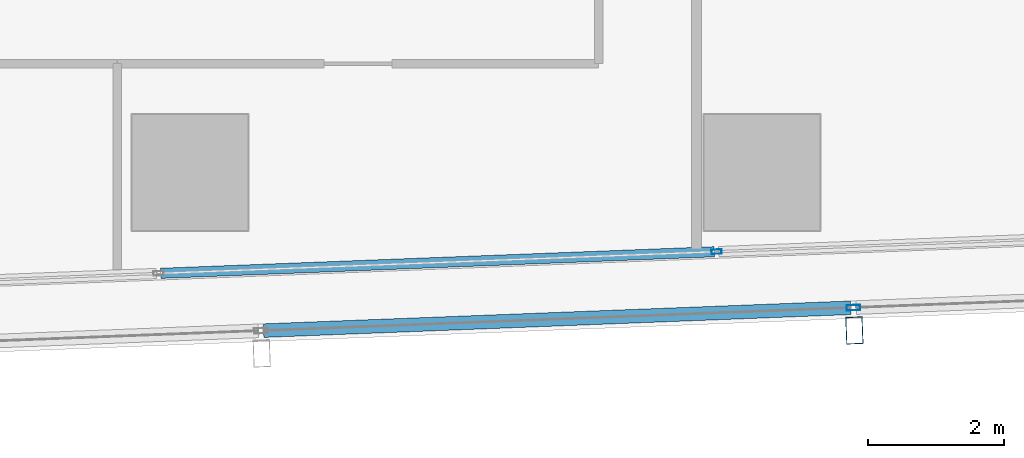
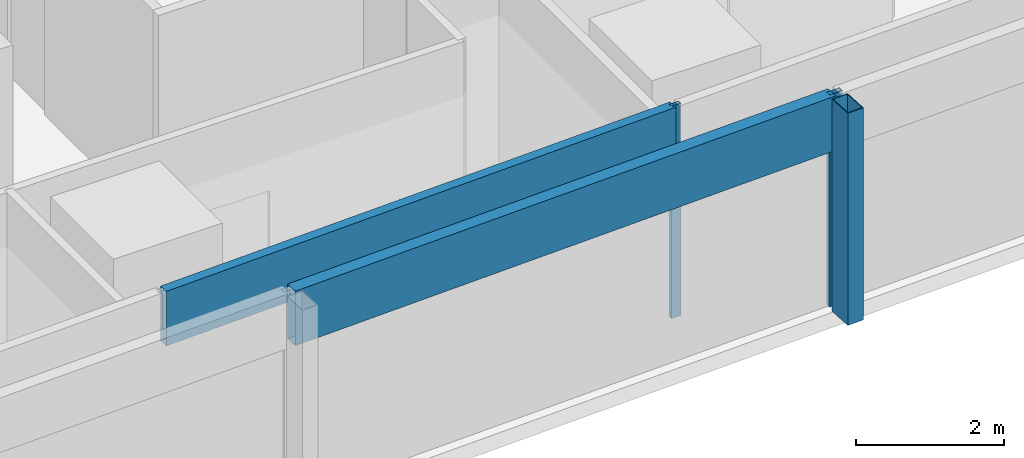
# One storey, part 11 of 40: 5 members, 2 elements without a shape of their own.
"""IFC4 building model written with IfcOpenShell, lengths in metres."""

import ifcopenshell
import ifcopenshell.guid

model = None  # the IFC model being written
_history = None  # IfcOwnerHistory: only IFC2X3 demands one
_inside = {}  # id of a spatial element -> (the spatial element, [elements in it])
_under = {}  # id of a project, library or spatial element -> (it, [spatial elements below it])
_declared = {}  # id of a project -> (the project, [libraries it declares])
_typed = {}  # id of a type object -> (the type object, [elements of that type])
_made_of = {}  # id of a material, layer set ... -> (it, [elements and type objects made of it])


def new_model(schema):
    """Start an empty IFC model of exactly this schema.

    Asked for "IFC4X3", IfcOpenShell would pick the latest addendum, in which some entities
    have other attributes; the version numbers below select the first issue.
    IFC2X3 requires an IfcOwnerHistory on every rooted entity: one is made here for all.
    """
    global model, _history
    if schema == "IFC4X3":
        model = ifcopenshell.file(schema_version=(4, 3, 0, 0))
    else:
        model = ifcopenshell.file(schema=schema)
    _inside.clear()
    _under.clear()
    _declared.clear()
    _typed.clear()
    _made_of.clear()
    _history = None
    if model.schema == "IFC2X3":
        org = make("IfcOrganization", Name="unknown")
        user = make(
            "IfcPersonAndOrganization",
            ThePerson=make("IfcPerson", FamilyName="unknown"),
            TheOrganization=org,
        )
        app = make(
            "IfcApplication",
            ApplicationDeveloper=org,
            Version="unknown",
            ApplicationFullName="unknown",
            ApplicationIdentifier="unknown",
        )
        _history = make(
            "IfcOwnerHistory",
            OwningUser=user,
            OwningApplication=app,
            ChangeAction="ADDED",
            CreationDate=0,
        )
    return model


def make(cls, **values):
    """One entity of the class cls with the attributes given. An attribute that is None is left unset."""
    return model.create_entity(
        cls, **{name: value for name, value in values.items() if value is not None}
    )


def rooted(cls, **values):
    """An entity with a GlobalId (a new one), such as an element, a storey or a relation."""
    return make(cls, GlobalId=ifcopenshell.guid.new(), OwnerHistory=_history, **values)


def si_unit(unit_type, name, prefix=None):
    """IfcSIUnit, for example si_unit("LENGTHUNIT", "METRE", prefix="MILLI")."""
    return make("IfcSIUnit", UnitType=unit_type, Prefix=prefix, Name=name)


def assignment(units):
    """IfcUnitAssignment: the units of a project."""
    return None if units is None else make("IfcUnitAssignment", Units=units)


def point(xyz):
    """IfcCartesianPoint."""
    return None if xyz is None else make("IfcCartesianPoint", Coordinates=xyz)


def direction(xyz):
    """IfcDirection."""
    return None if xyz is None else make("IfcDirection", DirectionRatios=xyz)


def frame(location, z_axis=None, x_axis=None):
    """IfcAxis2Placement3D, a coordinate frame: its origin and axes. An axis left out is left unset."""
    return make(
        "IfcAxis2Placement3D",
        Location=point(location),
        Axis=direction(z_axis),
        RefDirection=direction(x_axis),
    )


def frame_2d(location, x_axis=None):
    """IfcAxis2Placement2D, a coordinate frame in the plane: its origin and x axis."""
    return make(
        "IfcAxis2Placement2D", Location=point(location), RefDirection=direction(x_axis)
    )


def origin():
    """The frame at (0, 0, 0) with its axes left unset."""
    return frame((0.0, 0.0, 0.0))


def origin_2d():
    """The frame at (0, 0) in the plane with its x axis left unset."""
    return frame_2d((0.0, 0.0))


def place(relative_to, where):
    """IfcLocalPlacement: puts the frame where relative to a parent placement (None: the world)."""
    return make(
        "IfcLocalPlacement", PlacementRelTo=relative_to, RelativePlacement=where
    )


def context(
    kind, dimensions, precision=None, world=None, true_north=None, identifier=None
):
    """IfcGeometricRepresentationContext, for example the 3D "Model" context."""
    return make(
        "IfcGeometricRepresentationContext",
        ContextIdentifier=identifier,
        ContextType=kind,
        CoordinateSpaceDimension=dimensions,
        Precision=precision,
        WorldCoordinateSystem=world,
        TrueNorth=true_north,
    )


def subcontext(parent, identifier, kind, view, scale=None):
    """IfcGeometricRepresentationSubContext, for example "Body" below "Model"."""
    return make(
        "IfcGeometricRepresentationSubContext",
        ContextIdentifier=identifier,
        ContextType=kind,
        ParentContext=parent,
        TargetScale=scale,
        TargetView=view,
    )


def project(units=None, contexts=None):
    """IfcProject with its units and contexts."""
    return rooted(
        "IfcProject",
        Name="project",
        RepresentationContexts=contexts,
        UnitsInContext=assignment(units),
    )


def spatial(cls, under=None, at=None, **own):
    """A site, building, storey or space (cls), placed at a placement, below another one or the project."""
    s = rooted(cls, ObjectPlacement=at, **own)
    if under is not None:
        _under.setdefault(under.id(), (under, []))[1].append(s)
    return s


def profile(cls, at=None, kind="AREA", **sizes):
    """A parametric profile (cls). Its sizes go by their IFC names, for example OverallWidth=200.0."""
    return make(cls, ProfileType=kind, Position=at, **sizes)


def hollow_rectangle(**sizes):
    """IfcRectangleHollowProfileDef."""
    return profile("IfcRectangleHollowProfileDef", **sizes)


def extrude(swept, where, along, depth):
    """IfcExtrudedAreaSolid: the profile swept, set in the frame where, extruded along a direction by depth."""
    return make(
        "IfcExtrudedAreaSolid",
        SweptArea=swept,
        Position=where,
        ExtrudedDirection=direction(along),
        Depth=depth,
    )


def shape(context_of_items, identifier, shape_type, items):
    """IfcShapeRepresentation: the items that make up one representation, for example the "Body"."""
    return make(
        "IfcShapeRepresentation",
        ContextOfItems=context_of_items,
        RepresentationIdentifier=identifier,
        RepresentationType=shape_type,
        Items=items,
    )


def material(Name=None, Category=None):
    """IfcMaterial."""
    return make("IfcMaterial", Name=Name, Category=Category)


def material_profile(
    of_material, cross_section, Name=None, Category=None, Priority=None
):
    """IfcMaterialProfile: a cross section and its material."""
    return make(
        "IfcMaterialProfile",
        Name=Name,
        Material=of_material,
        Profile=cross_section,
        Priority=Priority,
        Category=Category,
    )


def profile_set(profiles, Name=None, composite=None):
    """IfcMaterialProfileSet."""
    return make(
        "IfcMaterialProfileSet",
        Name=Name,
        MaterialProfiles=profiles,
        CompositeProfile=composite,
    )


def made_of(thing, what):
    """Note that an element or type object is made of a material, layer set ...; save() writes the relation."""
    if what is not None:
        _made_of.setdefault(what.id(), (what, []))[1].append(thing)
    return thing


def type_object(cls, material=None, **own):
    """A type object (cls), such as IfcWallType, which elements share."""
    return made_of(rooted(cls, **own), material)


def element(
    cls,
    number,
    at=None,
    inside=None,
    cuts=None,
    type_object=None,
    material=None,
    context=None,
    identifier="Body",
    shape_type=None,
    held_by="IfcProductDefinitionShape",
    body=None,
    shapes=None,
    **own,
):
    """One element of the class cls, such as IfcWall. Its Tag is "e" and its number.

    at: its placement. inside: the storey or other place that contains it. cuts: it is an
    opening in that element (IfcRelVoidsElement). A single representation is given by context,
    identifier, shape_type and body (its items); several are given by shapes. held_by: the class
    of the entity that holds the representations. save() writes the other relations.
    """
    e = rooted(cls, Tag="e%d" % number, ObjectPlacement=at, **own)
    if body is not None:
        shapes = [shape(context, identifier, shape_type, body)]
    if shapes is not None:
        e.Representation = make(held_by, Representations=shapes)
    if inside is not None:
        _inside.setdefault(inside.id(), (inside, []))[1].append(e)
    if cuts is not None:
        rooted(
            "IfcRelVoidsElement", RelatingBuildingElement=cuts, RelatedOpeningElement=e
        )
    if type_object is not None:
        _typed.setdefault(type_object.id(), (type_object, []))[1].append(e)
    return made_of(e, material)


def aggregate(whole, parts):
    """IfcRelAggregates: a whole, such as a stair, and the parts it consists of."""
    return rooted("IfcRelAggregates", RelatingObject=whole, RelatedObjects=parts)


def save(model, path):
    """Write the relations noted so far, then the file.

    IfcRelAggregates (storeys below a building ...), IfcRelContainedInSpatialStructure (elements
    in a storey), IfcRelDefinesByType, IfcRelAssociatesMaterial and IfcRelDeclares: one each for
    every whole, place, type object, material and project.
    """
    for whole, parts in _under.values():
        aggregate(whole, parts)
    for where, things in _inside.values():
        rooted(
            "IfcRelContainedInSpatialStructure",
            RelatedElements=things,
            RelatingStructure=where,
        )
    for kind, things in _typed.values():
        rooted("IfcRelDefinesByType", RelatedObjects=things, RelatingType=kind)
    for what, things in _made_of.values():
        rooted("IfcRelAssociatesMaterial", RelatedObjects=things, RelatingMaterial=what)
    for by, libraries in _declared.values():
        rooted("IfcRelDeclares", RelatingContext=by, RelatedDefinitions=libraries)
    model.write(path)


model = new_model("IFC4")

# Units and contexts
model_context = context("Model", 3, precision=1e-05, world=origin(), true_north=direction((0.0, 1.0)))
body_context = subcontext(model_context, "Body", "Model", "MODEL_VIEW")
ifc_project = project(units=[si_unit("LENGTHUNIT", "METRE"), si_unit("AREAUNIT", "SQUARE_METRE"), si_unit("VOLUMEUNIT", "CUBIC_METRE"), si_unit("PLANEANGLEUNIT", "RADIAN"), si_unit("MASSUNIT", "GRAM", prefix="KILO")], contexts=[model_context])

# Site, building, storey
site_placement = place(None, origin())
site = spatial("IfcSite", under=ifc_project, at=site_placement, CompositionType="ELEMENT")
building_placement = place(site_placement, origin())
building = spatial("IfcBuilding", under=site, at=building_placement, Name="Rekha Terrace Tower", CompositionType="ELEMENT")
storey_placement = place(building_placement, frame((0.0, 0.0, 125.300048828125)))
storey = spatial("IfcBuildingStorey", under=building, at=storey_placement, Name="L31", CompositionType="ELEMENT", Elevation=125.300048828125)

# Curtain wall, member
ifc_material_1 = material(Name="Aluminium framing", Category="aluminium")
curtain_wall_type_1 = type_object("IfcCurtainWallType", Name="CW2 double skin outer glazing", PredefinedType="USERDEFINED", material=ifc_material_1)
curtain_wall_1_placement = place(storey_placement, origin())
curtain_wall_1 = element("IfcCurtainWall", 1, at=curtain_wall_1_placement, inside=storey, type_object=curtain_wall_type_1, Name="CW2 double skin outer glazing", ObjectType="DOUBLE SKIN OUTER GLAZING", PredefinedType="USERDEFINED")
ifc_material_2 = material(Name="Steel S355 with fluorocarbon finish", Category="steel")
ifc_material_profile_1 = material_profile(ifc_material_2, hollow_rectangle(XDim=0.25, YDim=0.39990234375, WallThickness=0.012451171875, at=origin_2d()), Name="RHS400x250x12.5")
ifc_profile_set_1 = profile_set([ifc_material_profile_1], Name="Steel S355 with fluorocarbon finish")
member_type_1 = type_object("IfcMemberType", Name="BL1 facade blade RHS 400 x 250", PredefinedType="USERDEFINED", material=ifc_profile_set_1)
member_1_placement = place(storey_placement, frame((60.1572265625, 14.480712890625, 0.0), z_axis=(0.0, 0.0, 1.0), x_axis=(0.999243494356, 0.038890088543, 0.0)))
member_1 = element("IfcMember", 2, at=member_1_placement, type_object=member_type_1, Name="Facade blade", ObjectType="FACADE BLADE", PredefinedType="USERDEFINED", context=body_context, shape_type="SweptSolid", body=[
    extrude(hollow_rectangle(XDim=0.25, YDim=0.39990234375, WallThickness=0.012451171875, at=origin_2d()), origin(), (0.0, 0.0, 1.0), 3.5),
])

# Curtain wall, members
curtain_wall_type_2 = type_object("IfcCurtainWallType", Name="CW1 double skin inner glazing", PredefinedType="USERDEFINED", material=ifc_material_1)
curtain_wall_2_placement = place(storey_placement, origin())
curtain_wall_2 = element("IfcCurtainWall", 3, at=curtain_wall_2_placement, inside=storey, type_object=curtain_wall_type_2, Name="CW1 double skin inner glazing", ObjectType="DOUBLE SKIN INNER GLAZING", PredefinedType="USERDEFINED")
ifc_material_3 = material(Name="Aluminium mullion section", Category="aluminium")
ifc_material_profile_2 = material_profile(ifc_material_3, hollow_rectangle(XDim=0.06494140625, YDim=0.14990234375, WallThickness=0.00390625, at=origin_2d()), Name="AL RHS 65x150")
ifc_profile_set_2 = profile_set([ifc_material_profile_2], Name="Aluminium mullion section")
member_type_2 = type_object("IfcMemberType", Name="CW1 mullion RHS 65 x 150", PredefinedType="MULLION", material=ifc_profile_set_2)
member_2_placement = place(storey_placement, frame((58.13330078125, 15.637939453125, 0.0), z_axis=(0.0, 0.0, 1.0), x_axis=(-0.038889971345, 0.999243498917, 0.0)))
member_2 = element("IfcMember", 4, at=member_2_placement, type_object=member_type_2, Name="CW1 mullion 5", PredefinedType="MULLION", context=body_context, shape_type="SweptSolid", body=[
    extrude(hollow_rectangle(XDim=0.06494140625, YDim=0.14990234375, WallThickness=0.00390625, at=origin_2d()), origin(), (0.0, 0.0, 1.0), 3.5),
])
ifc_material_4 = material(Name="Insulated aluminium spandrel box", Category="aluminium")
ifc_material_profile_3 = material_profile(ifc_material_4, hollow_rectangle(XDim=0.14990234375, YDim=0.89990234375, WallThickness=0.0029296875, at=origin_2d()), Name="AL SPANDREL BOX 150x900")
ifc_profile_set_3 = profile_set([ifc_material_profile_3], Name="Insulated aluminium spandrel box")
member_type_3 = type_object("IfcMemberType", Name="CW1 spandrel transom 150 x 900", PredefinedType="USERDEFINED", material=ifc_profile_set_3)
member_3_placement = place(storey_placement, frame((49.96923828125, 15.320068359375, 3.050048828125), z_axis=(0.999242669674, 0.038911272182, 0.0), x_axis=(-0.038911272182, 0.999242669674, 0.0)))
member_3 = element("IfcMember", 5, at=member_3_placement, type_object=member_type_3, Name="CW1 spandrel transom 4", ObjectType="TRANSOM", PredefinedType="USERDEFINED", context=body_context, shape_type="SweptSolid", body=[
    extrude(hollow_rectangle(XDim=0.14990234375, YDim=0.89990234375, WallThickness=0.0029296875, at=origin_2d()), origin(), (0.0, 0.0, 1.0), 8.1376953125),
])
aggregate(curtain_wall_2, [member_2, member_3])

# Member
ifc_material_profile_4 = material_profile(ifc_material_3, hollow_rectangle(XDim=0.080078125, YDim=0.199951171875, WallThickness=0.00390625, at=origin_2d()), Name="AL RHS 80x200")
ifc_profile_set_4 = profile_set([ifc_material_profile_4], Name="Aluminium mullion section")
member_type_4 = type_object("IfcMemberType", Name="CW2 mullion RHS 80 x 200", PredefinedType="MULLION", material=ifc_profile_set_4)
member_4_placement = place(storey_placement, frame((60.14404296875, 14.8154296875, 0.0), z_axis=(0.0, 0.0, 1.0), x_axis=(-0.038889971345, 0.999243498917, 0.0)))
member_4 = element("IfcMember", 6, at=member_4_placement, type_object=member_type_4, Name="CW2 mullion 5", PredefinedType="MULLION", context=body_context, shape_type="SweptSolid", body=[
    extrude(hollow_rectangle(XDim=0.080078125, YDim=0.199951171875, WallThickness=0.00390625, at=origin_2d()), origin(), (0.0, 0.0, 1.0), 3.5),
])

ifc_material_profile_5 = material_profile(ifc_material_4, hollow_rectangle(XDim=0.199951171875, YDim=0.89990234375, WallThickness=0.0029296875, at=origin_2d()), Name="AL SPANDREL BOX 200x900")
ifc_profile_set_5 = profile_set([ifc_material_profile_5], Name="Insulated aluminium spandrel box")
member_type_5 = type_object("IfcMemberType", Name="CW2 spandrel transom 200 x 900", PredefinedType="USERDEFINED", material=ifc_profile_set_5)
member_5_placement = place(storey_placement, frame((51.47900390625, 14.478271484375, 3.050048828125), z_axis=(0.999243481303, 0.038890423923, 0.0), x_axis=(-0.038890423923, 0.999243481303, 0.0)))
member_5 = element("IfcMember", 7, at=member_5_placement, type_object=member_type_5, Name="CW2 spandrel transom 4", ObjectType="TRANSOM", PredefinedType="USERDEFINED", context=body_context, shape_type="SweptSolid", body=[
    extrude(hollow_rectangle(XDim=0.199951171875, YDim=0.89990234375, WallThickness=0.0029296875, at=origin_2d()), origin(), (0.0, 0.0, 1.0), 8.6318359375),
])

aggregate(curtain_wall_1, [member_4, member_5, member_1])

save(model, "model.ifc")
